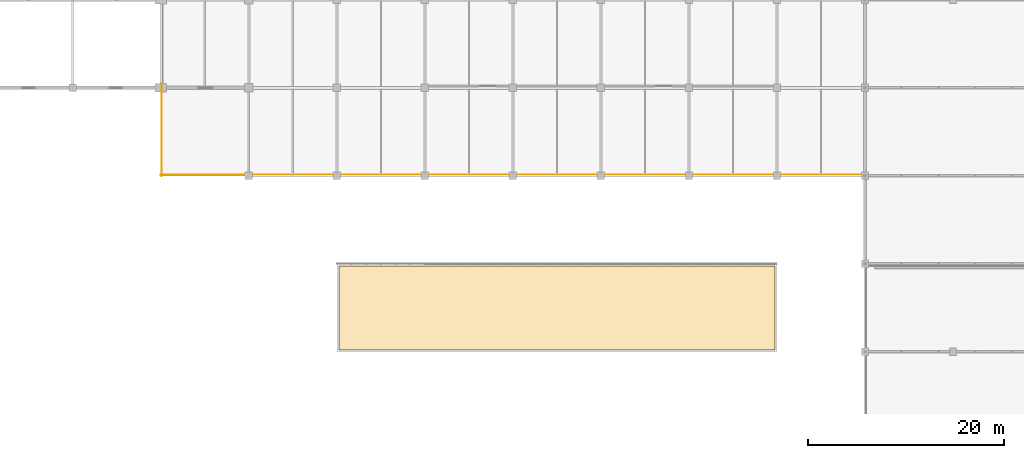
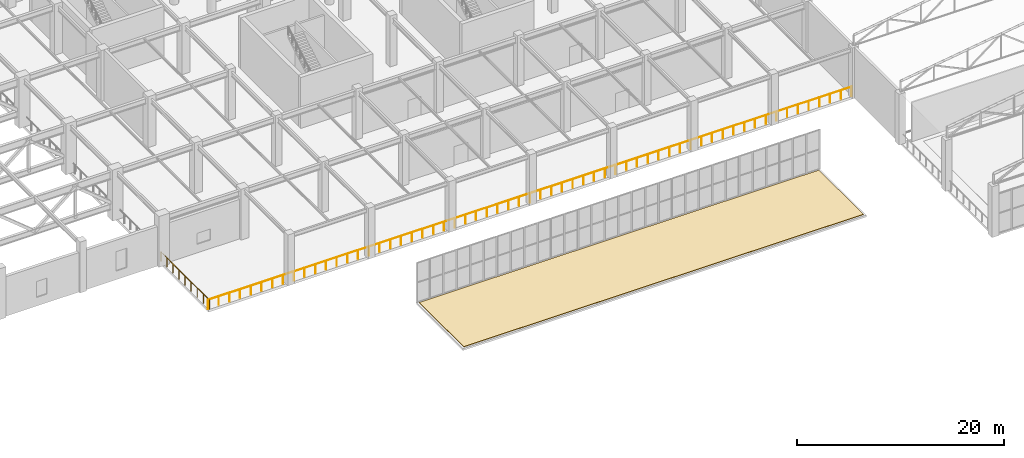
# One storey, part 202 of 223: 2 railings, 1 covering.
"""IFC4 building model written with IfcOpenShell, lengths in metres."""

from ifc_helpers import new_model, si_unit, direction, frame, origin, origin_2d, place, context, subcontext, project, spatial, polyline, circle, outline, extrude, material, layer, layer_set, type_object, element, save


model = new_model("IFC4")

# Units and contexts
model_context = context("Model", 3, precision=1e-05, world=origin(), true_north=direction((0.0, 1.0)))
body_context = subcontext(model_context, "Body", "Model", "MODEL_VIEW")
ifc_project = project(units=[si_unit("LENGTHUNIT", "METRE"), si_unit("AREAUNIT", "SQUARE_METRE"), si_unit("VOLUMEUNIT", "CUBIC_METRE"), si_unit("PLANEANGLEUNIT", "RADIAN"), si_unit("MASSUNIT", "GRAM", prefix="KILO")], contexts=[model_context])

# Site, building, storey
site_placement = place(None, origin())
site = spatial("IfcSite", under=ifc_project, at=site_placement, CompositionType="ELEMENT")
building_placement = place(site_placement, origin())
building = spatial("IfcBuilding", under=site, at=building_placement, Name="Dornveld Trade and Exhibition Forum", CompositionType="ELEMENT")
storey_placement = place(building_placement, frame((0.0, 0.0, 6.0)))
storey = spatial("IfcBuildingStorey", under=building, at=storey_placement, Name="L01", CompositionType="ELEMENT", Elevation=6.0)

# Covering
ifc_material_1 = material(Name="Standing-seam zinc roofing and rigid insulation", Category="metal")
ifc_layer = layer(ifc_material_1, 0.06005859375)
ifc_layer_set = layer_set([ifc_layer], Name="Standing-seam zinc roofing and rigid insulation")
covering_type = type_object("IfcCoveringType", Name="COV-ROOF-ZINC", PredefinedType="ROOFING", material=ifc_layer_set)
covering_placement = place(storey_placement, origin())
element("IfcCovering", 1, at=covering_placement, inside=storey, type_object=covering_type, Name="L01 standing-seam zinc roof finish 1", PredefinedType="ROOFING", context=body_context, shape_type="SweptSolid", body=[
    extrude(outline(polyline([(99.199951171875, 9.199951171875), (143.800048828125, 9.199951171875), (143.800048828125, 17.800048828125), (99.199951171875, 17.800048828125), (99.199951171875, 9.199951171875)])), origin(), (0.0, 0.0, 1.0), 0.06005859375),
])

# Railings
ifc_material_2 = material(Name="Dark-bronze steel and laminated glass balustrade", Category="steel")
railing_type = type_object("IfcRailingType", Name="RL-BALUST-CONC", PredefinedType="BALUSTRADE", material=ifc_material_2)
railing_1_placement = place(storey_placement, frame((152.820068359375, 27.10009765625, 0.0)))
element("IfcRailing", 2, at=railing_1_placement, inside=storey, type_object=railing_type, Name="L01 deck edge balustrade 9", PredefinedType="BALUSTRADE", context=body_context, shape_type="SweptSolid", body=[
    extrude(circle(Radius=0.02490234375, at=origin_2d()), frame((0.0, 0.0, 1.09521484375), z_axis=(-1.0, 0.0, 0.0), x_axis=(0.0, -1.0, 0.0)), (0.0, 0.0, 1.0), 71.820068359375),
    extrude(circle(Radius=0.02099609375, at=origin_2d()), origin(), (0.0, 0.0, 1.0), 1.070068359375),
    extrude(circle(Radius=0.02099609375, at=origin_2d()), frame((-1.197021484375, 0.0, 0.0)), (0.0, 0.0, 1.0), 1.070068359375),
    extrude(circle(Radius=0.02099609375, at=origin_2d()), frame((-2.39404296875, 0.0, 0.0)), (0.0, 0.0, 1.0), 1.070068359375),
    extrude(circle(Radius=0.02099609375, at=origin_2d()), frame((-3.591064453125, 0.0, 0.0)), (0.0, 0.0, 1.0), 1.070068359375),
    extrude(circle(Radius=0.02099609375, at=origin_2d()), frame((-4.7880859375, 0.0, 0.0)), (0.0, 0.0, 1.0), 1.070068359375),
    extrude(circle(Radius=0.02099609375, at=origin_2d()), frame((-5.985107421875, 0.0, 0.0)), (0.0, 0.0, 1.0), 1.070068359375),
    extrude(circle(Radius=0.02099609375, at=origin_2d()), frame((-7.18212890625, 0.0, 0.0)), (0.0, 0.0, 1.0), 1.070068359375),
    extrude(circle(Radius=0.02099609375, at=origin_2d()), frame((-8.37890625, 0.0, 0.0)), (0.0, 0.0, 1.0), 1.070068359375),
    extrude(circle(Radius=0.02099609375, at=origin_2d()), frame((-9.575927734375, 0.0, 0.0)), (0.0, 0.0, 1.0), 1.070068359375),
    extrude(circle(Radius=0.02099609375, at=origin_2d()), frame((-10.77294921875, 0.0, 0.0)), (0.0, 0.0, 1.0), 1.070068359375),
    extrude(circle(Radius=0.02099609375, at=origin_2d()), frame((-11.969970703125, 0.0, 0.0)), (0.0, 0.0, 1.0), 1.070068359375),
    extrude(circle(Radius=0.02099609375, at=origin_2d()), frame((-13.1669921875, 0.0, 0.0)), (0.0, 0.0, 1.0), 1.070068359375),
    extrude(circle(Radius=0.02099609375, at=origin_2d()), frame((-14.364013671875, 0.0, 0.0)), (0.0, 0.0, 1.0), 1.070068359375),
    extrude(circle(Radius=0.02099609375, at=origin_2d()), frame((-15.56103515625, 0.0, 0.0)), (0.0, 0.0, 1.0), 1.070068359375),
    extrude(circle(Radius=0.02099609375, at=origin_2d()), frame((-16.758056640625, 0.0, 0.0)), (0.0, 0.0, 1.0), 1.070068359375),
    extrude(circle(Radius=0.02099609375, at=origin_2d()), frame((-17.955078125, 0.0, 0.0)), (0.0, 0.0, 1.0), 1.070068359375),
    extrude(circle(Radius=0.02099609375, at=origin_2d()), frame((-19.152099609375, 0.0, 0.0)), (0.0, 0.0, 1.0), 1.070068359375),
    extrude(circle(Radius=0.02099609375, at=origin_2d()), frame((-20.34912109375, 0.0, 0.0)), (0.0, 0.0, 1.0), 1.070068359375),
    extrude(circle(Radius=0.02099609375, at=origin_2d()), frame((-21.5458984375, 0.0, 0.0)), (0.0, 0.0, 1.0), 1.070068359375),
    extrude(circle(Radius=0.02099609375, at=origin_2d()), frame((-22.742919921875, 0.0, 0.0)), (0.0, 0.0, 1.0), 1.070068359375),
    extrude(circle(Radius=0.02099609375, at=origin_2d()), frame((-23.93994140625, 0.0, 0.0)), (0.0, 0.0, 1.0), 1.070068359375),
    extrude(circle(Radius=0.02099609375, at=origin_2d()), frame((-25.136962890625, 0.0, 0.0)), (0.0, 0.0, 1.0), 1.070068359375),
    extrude(circle(Radius=0.02099609375, at=origin_2d()), frame((-26.333984375, 0.0, 0.0)), (0.0, 0.0, 1.0), 1.070068359375),
    extrude(circle(Radius=0.02099609375, at=origin_2d()), frame((-27.531005859375, 0.0, 0.0)), (0.0, 0.0, 1.0), 1.070068359375),
    extrude(circle(Radius=0.02099609375, at=origin_2d()), frame((-28.72802734375, 0.0, 0.0)), (0.0, 0.0, 1.0), 1.070068359375),
    extrude(circle(Radius=0.02099609375, at=origin_2d()), frame((-29.925048828125, 0.0, 0.0)), (0.0, 0.0, 1.0), 1.070068359375),
    extrude(circle(Radius=0.02099609375, at=origin_2d()), frame((-31.1220703125, 0.0, 0.0)), (0.0, 0.0, 1.0), 1.070068359375),
    extrude(circle(Radius=0.02099609375, at=origin_2d()), frame((-32.319091796875, 0.0, 0.0)), (0.0, 0.0, 1.0), 1.070068359375),
    extrude(circle(Radius=0.02099609375, at=origin_2d()), frame((-33.51611328125, 0.0, 0.0)), (0.0, 0.0, 1.0), 1.070068359375),
    extrude(circle(Radius=0.02099609375, at=origin_2d()), frame((-34.713134765625, 0.0, 0.0)), (0.0, 0.0, 1.0), 1.070068359375),
    extrude(circle(Radius=0.02099609375, at=origin_2d()), frame((-35.91015625, 0.0, 0.0)), (0.0, 0.0, 1.0), 1.070068359375),
    extrude(circle(Radius=0.02099609375, at=origin_2d()), frame((-37.10693359375, 0.0, 0.0)), (0.0, 0.0, 1.0), 1.070068359375),
    extrude(circle(Radius=0.02099609375, at=origin_2d()), frame((-38.303955078125, 0.0, 0.0)), (0.0, 0.0, 1.0), 1.070068359375),
    extrude(circle(Radius=0.02099609375, at=origin_2d()), frame((-39.5009765625, 0.0, 0.0)), (0.0, 0.0, 1.0), 1.070068359375),
    extrude(circle(Radius=0.02099609375, at=origin_2d()), frame((-40.697998046875, 0.0, 0.0)), (0.0, 0.0, 1.0), 1.070068359375),
    extrude(circle(Radius=0.02099609375, at=origin_2d()), frame((-41.89501953125, 0.0, 0.0)), (0.0, 0.0, 1.0), 1.070068359375),
    extrude(circle(Radius=0.02099609375, at=origin_2d()), frame((-43.092041015625, 0.0, 0.0)), (0.0, 0.0, 1.0), 1.070068359375),
    extrude(circle(Radius=0.02099609375, at=origin_2d()), frame((-44.2890625, 0.0, 0.0)), (0.0, 0.0, 1.0), 1.070068359375),
    extrude(circle(Radius=0.02099609375, at=origin_2d()), frame((-45.486083984375, 0.0, 0.0)), (0.0, 0.0, 1.0), 1.070068359375),
    extrude(circle(Radius=0.02099609375, at=origin_2d()), frame((-46.68310546875, 0.0, 0.0)), (0.0, 0.0, 1.0), 1.070068359375),
    extrude(circle(Radius=0.02099609375, at=origin_2d()), frame((-47.880126953125, 0.0, 0.0)), (0.0, 0.0, 1.0), 1.070068359375),
    extrude(circle(Radius=0.02099609375, at=origin_2d()), frame((-49.0771484375, 0.0, 0.0)), (0.0, 0.0, 1.0), 1.070068359375),
    extrude(circle(Radius=0.02099609375, at=origin_2d()), frame((-50.27392578125, 0.0, 0.0)), (0.0, 0.0, 1.0), 1.070068359375),
    extrude(circle(Radius=0.02099609375, at=origin_2d()), frame((-51.470947265625, 0.0, 0.0)), (0.0, 0.0, 1.0), 1.070068359375),
    extrude(circle(Radius=0.02099609375, at=origin_2d()), frame((-52.66796875, 0.0, 0.0)), (0.0, 0.0, 1.0), 1.070068359375),
    extrude(circle(Radius=0.02099609375, at=origin_2d()), frame((-53.864990234375, 0.0, 0.0)), (0.0, 0.0, 1.0), 1.070068359375),
    extrude(circle(Radius=0.02099609375, at=origin_2d()), frame((-55.06201171875, 0.0, 0.0)), (0.0, 0.0, 1.0), 1.070068359375),
    extrude(circle(Radius=0.02099609375, at=origin_2d()), frame((-56.259033203125, 0.0, 0.0)), (0.0, 0.0, 1.0), 1.070068359375),
    extrude(circle(Radius=0.02099609375, at=origin_2d()), frame((-57.4560546875, 0.0, 0.0)), (0.0, 0.0, 1.0), 1.070068359375),
    extrude(circle(Radius=0.02099609375, at=origin_2d()), frame((-58.653076171875, 0.0, 0.0)), (0.0, 0.0, 1.0), 1.070068359375),
    extrude(circle(Radius=0.02099609375, at=origin_2d()), frame((-59.85009765625, 0.0, 0.0)), (0.0, 0.0, 1.0), 1.070068359375),
    extrude(circle(Radius=0.02099609375, at=origin_2d()), frame((-61.047119140625, 0.0, 0.0)), (0.0, 0.0, 1.0), 1.070068359375),
    extrude(circle(Radius=0.02099609375, at=origin_2d()), frame((-62.244140625, 0.0, 0.0)), (0.0, 0.0, 1.0), 1.070068359375),
    extrude(circle(Radius=0.02099609375, at=origin_2d()), frame((-63.441162109375, 0.0, 0.0)), (0.0, 0.0, 1.0), 1.070068359375),
    extrude(circle(Radius=0.02099609375, at=origin_2d()), frame((-64.63818359375, 0.0, 0.0)), (0.0, 0.0, 1.0), 1.070068359375),
    extrude(circle(Radius=0.02099609375, at=origin_2d()), frame((-65.8349609375, 0.0, 0.0)), (0.0, 0.0, 1.0), 1.070068359375),
    extrude(circle(Radius=0.02099609375, at=origin_2d()), frame((-67.031982421875, 0.0, 0.0)), (0.0, 0.0, 1.0), 1.070068359375),
    extrude(circle(Radius=0.02099609375, at=origin_2d()), frame((-68.22900390625, 0.0, 0.0)), (0.0, 0.0, 1.0), 1.070068359375),
    extrude(circle(Radius=0.02099609375, at=origin_2d()), frame((-69.426025390625, 0.0, 0.0)), (0.0, 0.0, 1.0), 1.070068359375),
    extrude(circle(Radius=0.02099609375, at=origin_2d()), frame((-70.623046875, 0.0, 0.0)), (0.0, 0.0, 1.0), 1.070068359375),
    extrude(circle(Radius=0.02099609375, at=origin_2d()), frame((-71.820068359375, 0.0, 0.0)), (0.0, 0.0, 1.0), 1.070068359375),
])
railing_2_placement = place(storey_placement, frame((81.10009765625, 27.0, 0.0)))
element("IfcRailing", 3, at=railing_2_placement, inside=storey, type_object=railing_type, Name="L01 deck edge balustrade 10", PredefinedType="BALUSTRADE", context=body_context, shape_type="SweptSolid", body=[
    extrude(circle(Radius=0.02490234375, at=origin_2d()), frame((0.0, 0.0, 1.09521484375), z_axis=(0.0, 1.0, 0.0), x_axis=(-1.0, 0.0, 0.0)), (0.0, 0.0, 1.0), 9.39990234375),
    extrude(circle(Radius=0.02099609375, at=origin_2d()), origin(), (0.0, 0.0, 1.0), 1.070068359375),
    extrude(circle(Radius=0.02099609375, at=origin_2d()), frame((0.0, 1.175048828125, 0.0)), (0.0, 0.0, 1.0), 1.070068359375),
    extrude(circle(Radius=0.02099609375, at=origin_2d()), frame((0.0, 2.35009765625, 0.0)), (0.0, 0.0, 1.0), 1.070068359375),
    extrude(circle(Radius=0.02099609375, at=origin_2d()), frame((0.0, 3.52490234375, 0.0)), (0.0, 0.0, 1.0), 1.070068359375),
    extrude(circle(Radius=0.02099609375, at=origin_2d()), frame((0.0, 4.699951171875, 0.0)), (0.0, 0.0, 1.0), 1.070068359375),
    extrude(circle(Radius=0.02099609375, at=origin_2d()), frame((0.0, 5.875, 0.0)), (0.0, 0.0, 1.0), 1.070068359375),
    extrude(circle(Radius=0.02099609375, at=origin_2d()), frame((0.0, 7.0498046875, 0.0)), (0.0, 0.0, 1.0), 1.070068359375),
    extrude(circle(Radius=0.02099609375, at=origin_2d()), frame((0.0, 8.224853515625, 0.0)), (0.0, 0.0, 1.0), 1.070068359375),
    extrude(circle(Radius=0.02099609375, at=origin_2d()), frame((0.0, 9.39990234375, 0.0)), (0.0, 0.0, 1.0), 1.070068359375),
])

save(model, "model.ifc")
